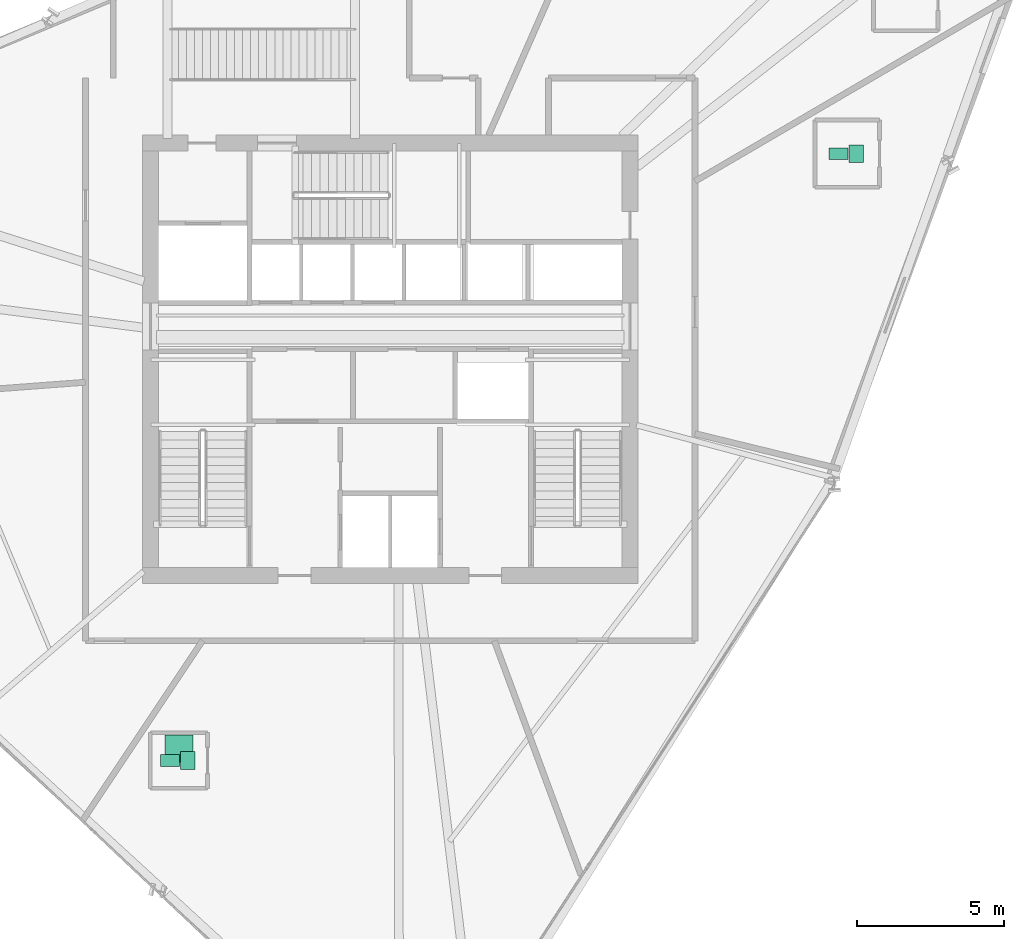
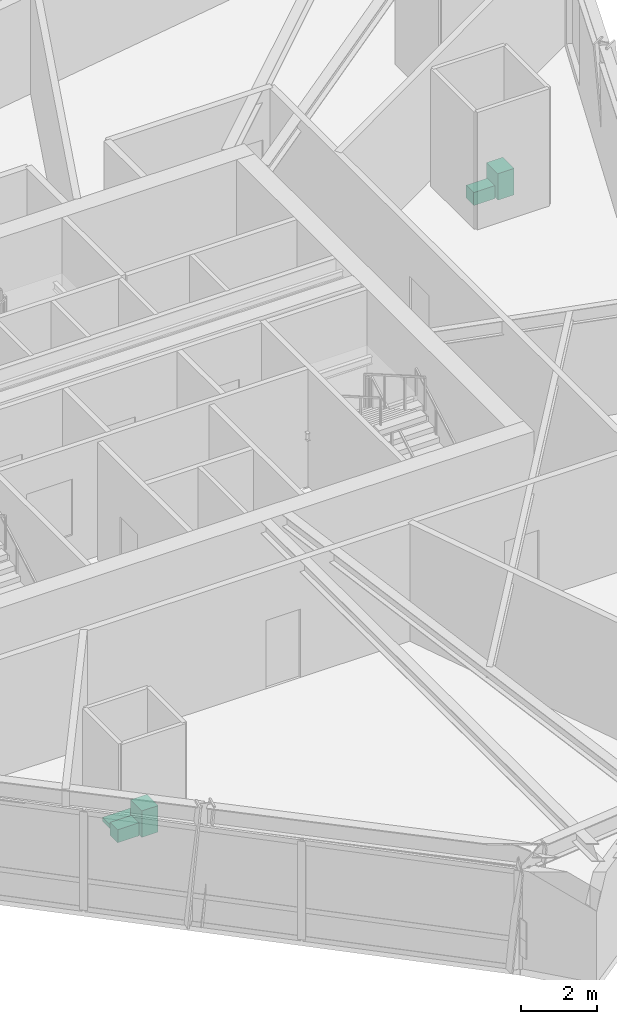
# One storey, part 14 of 14: 5 sanitary terminals.
"""IFC4 building model written with IfcOpenShell, lengths in metres."""

from ifc_helpers import new_model, si_unit, direction, frame, origin, origin_2d, place, context, subcontext, project, spatial, rectangle, extrude, source, transform, mapped, material, type_object, element, save


model = new_model("IFC4")

# Units and contexts
model_context = context("Model", 3, precision=1e-05, world=origin(), true_north=direction((0.0, 1.0)))
body_context = subcontext(model_context, "Body", "Model", "MODEL_VIEW")
ifc_project = project(units=[si_unit("LENGTHUNIT", "METRE"), si_unit("AREAUNIT", "SQUARE_METRE"), si_unit("VOLUMEUNIT", "CUBIC_METRE"), si_unit("PLANEANGLEUNIT", "RADIAN"), si_unit("MASSUNIT", "GRAM", prefix="KILO")], contexts=[model_context])

# Site, building, storey
site_placement = place(None, origin())
site = spatial("IfcSite", under=ifc_project, at=site_placement, CompositionType="ELEMENT")
building_placement = place(site_placement, origin())
building = spatial("IfcBuilding", under=site, at=building_placement, Name="Olszyna Solenne Hotel", CompositionType="ELEMENT")
storey_placement = place(building_placement, frame((0.0, 0.0, 196.300048828125)))
storey = spatial("IfcBuildingStorey", under=building, at=storey_placement, Name="L52", CompositionType="ELEMENT", Elevation=196.300048828125)

# Sanitary terminals
ifc_material = material(Name="Porcelain ceramic")
sanitary_terminal_type_1 = type_object("IfcSanitaryTerminalType", Name="SAN-WC", PredefinedType="TOILETPAN", material=ifc_material)
shared_shape_1 = source(origin(), body_context, "Body", "SweptSolid", [
    extrude(rectangle(XDim=0.64990234375, YDim=0.39990234375, at=origin_2d()), origin(), (0.0, 0.0, 1.0), 0.419921875),
])
for number, where, z_axis, x_axis, name in (
    (1, (30.490966796875, 12.9169921875, 0.0), (0.0, 0.0, 1.0), (1.0, 0.0, 0.0), "Wall-hung WC pan WC-0016"),
    (2, (53.291015625, 33.614990234375, 0.0), (0.0, 0.0, 1.0), (1.0, 0.0, 0.0), "Wall-hung WC pan WC-0017"),
):
    element("IfcSanitaryTerminal", number, at=place(storey_placement, frame(where, z_axis=z_axis, x_axis=x_axis)), inside=storey, type_object=sanitary_terminal_type_1, Name=name, PredefinedType="TOILETPAN", context=body_context, shape_type="MappedRepresentation", body=[
        mapped(shared_shape_1, transform((0.0, 0.0, 0.0), x_axis=(1.0, 0.0, 0.0), y_axis=(0.0, 1.0, 0.0), z_axis=(0.0, 0.0, 1.0), scale=1.0)),
    ])
sanitary_terminal_type_2 = type_object("IfcSanitaryTerminalType", Name="SAN-BS", PredefinedType="WASHHANDBASIN", material=ifc_material)
shared_shape_2 = source(origin(), body_context, "Body", "SweptSolid", [
    extrude(rectangle(XDim=0.5, YDim=0.60009765625, at=origin_2d()), origin(), (0.0, 0.0, 1.0), 0.85009765625),
])
for number, where, z_axis, x_axis, name in (
    (3, (31.091064453125, 12.9169921875, 0.0), (0.0, 0.0, 1.0), (1.0, 0.0, 0.0), "Vanity washbasin BS-0016"),
    (4, (53.89111328125, 33.614990234375, 0.0), (0.0, 0.0, 1.0), (1.0, 0.0, 0.0), "Vanity washbasin BS-0017"),
):
    element("IfcSanitaryTerminal", number, at=place(storey_placement, frame(where, z_axis=z_axis, x_axis=x_axis)), inside=storey, type_object=sanitary_terminal_type_2, Name=name, PredefinedType="WASHHANDBASIN", context=body_context, shape_type="MappedRepresentation", body=[
        mapped(shared_shape_2, transform((0.0, 0.0, 0.0), x_axis=(1.0, 0.0, 0.0), y_axis=(0.0, 1.0, 0.0), z_axis=(0.0, 0.0, 1.0), scale=1.0)),
    ])
sanitary_terminal_type_3 = type_object("IfcSanitaryTerminalType", Name="SAN-SH", PredefinedType="SHOWER", material=ifc_material)
shared_shape_3 = source(origin(), body_context, "Body", "SweptSolid", [
    extrude(rectangle(XDim=0.949951171875, YDim=0.949951171875, at=origin_2d()), origin(), (0.0, 0.0, 1.0), 0.1201171875),
])
sanitary_terminal_placement = place(storey_placement, frame((30.791015625, 13.31689453125, 0.0), z_axis=(0.0, 0.0, 1.0), x_axis=(1.0, 0.0, 0.0)))
element("IfcSanitaryTerminal", 5, at=sanitary_terminal_placement, inside=storey, type_object=sanitary_terminal_type_3, Name="Walk-in shower tray SH-0016", PredefinedType="SHOWER", context=body_context, shape_type="MappedRepresentation", body=[
    mapped(shared_shape_3, transform((0.0, 0.0, 0.0), x_axis=(1.0, 0.0, 0.0), y_axis=(0.0, 1.0, 0.0), z_axis=(0.0, 0.0, 1.0), scale=1.0)),
])

save(model, "model.ifc")
